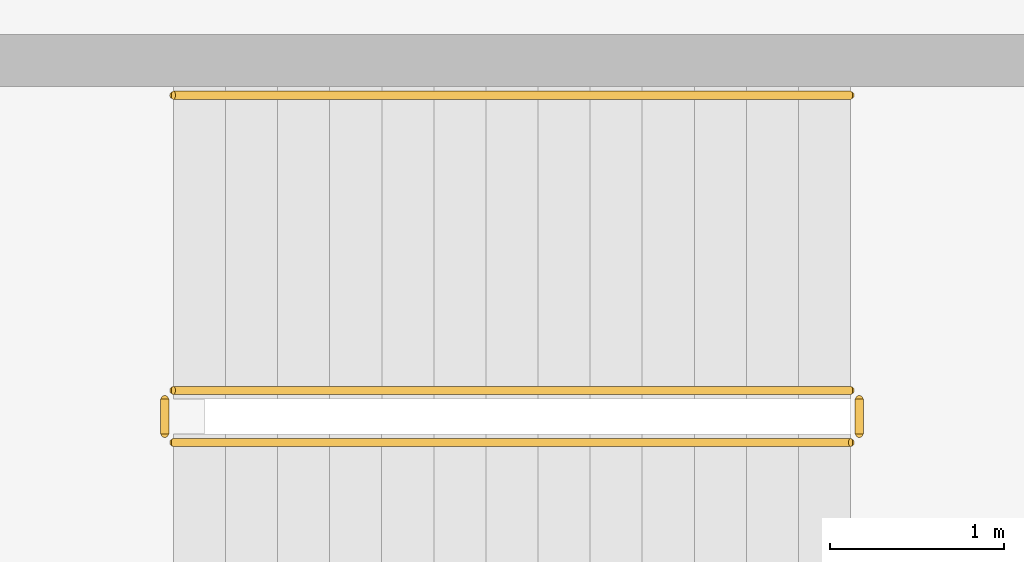
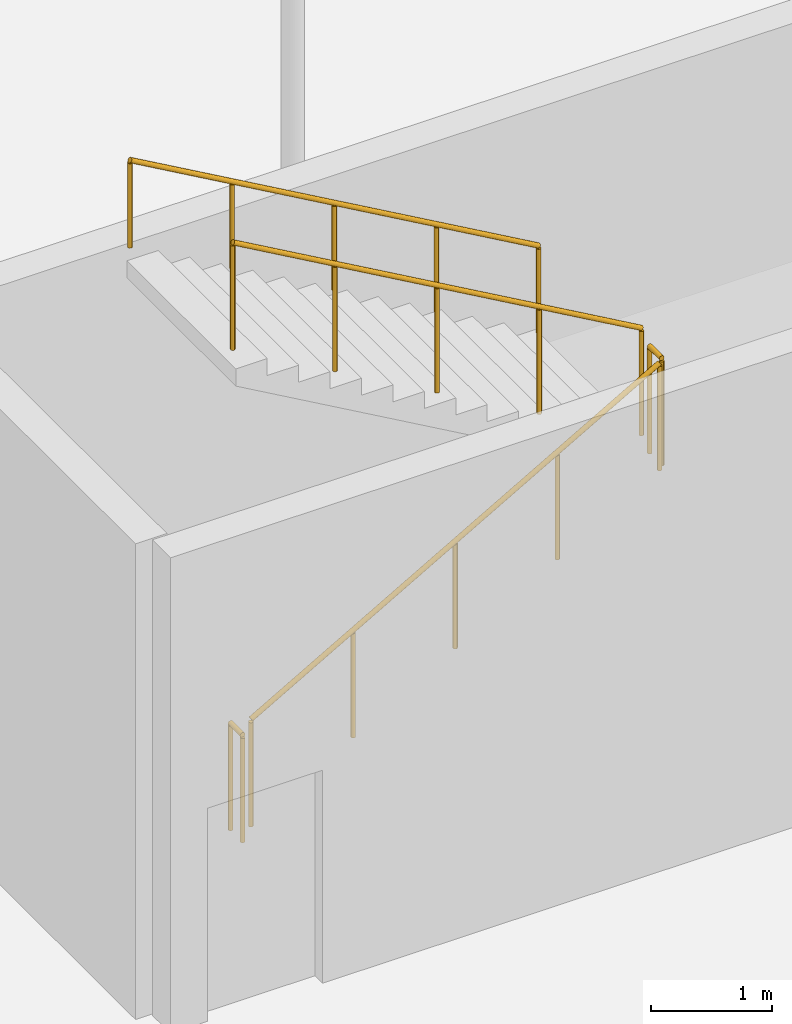
# One storey, part 205 of 226: 5 railings.
"""IFC4 building model written with IfcOpenShell, lengths in metres."""

import ifcopenshell
import ifcopenshell.guid

model = None  # the IFC model being written
_history = None  # IfcOwnerHistory: only IFC2X3 demands one
_inside = {}  # id of a spatial element -> (the spatial element, [elements in it])
_under = {}  # id of a project, library or spatial element -> (it, [spatial elements below it])
_declared = {}  # id of a project -> (the project, [libraries it declares])
_typed = {}  # id of a type object -> (the type object, [elements of that type])
_made_of = {}  # id of a material, layer set ... -> (it, [elements and type objects made of it])


def new_model(schema):
    """Start an empty IFC model of exactly this schema.

    Asked for "IFC4X3", IfcOpenShell would pick the latest addendum, in which some entities
    have other attributes; the version numbers below select the first issue.
    IFC2X3 requires an IfcOwnerHistory on every rooted entity: one is made here for all.
    """
    global model, _history
    if schema == "IFC4X3":
        model = ifcopenshell.file(schema_version=(4, 3, 0, 0))
    else:
        model = ifcopenshell.file(schema=schema)
    _inside.clear()
    _under.clear()
    _declared.clear()
    _typed.clear()
    _made_of.clear()
    _history = None
    if model.schema == "IFC2X3":
        org = make("IfcOrganization", Name="unknown")
        user = make(
            "IfcPersonAndOrganization",
            ThePerson=make("IfcPerson", FamilyName="unknown"),
            TheOrganization=org,
        )
        app = make(
            "IfcApplication",
            ApplicationDeveloper=org,
            Version="unknown",
            ApplicationFullName="unknown",
            ApplicationIdentifier="unknown",
        )
        _history = make(
            "IfcOwnerHistory",
            OwningUser=user,
            OwningApplication=app,
            ChangeAction="ADDED",
            CreationDate=0,
        )
    return model


def make(cls, **values):
    """One entity of the class cls with the attributes given. An attribute that is None is left unset."""
    return model.create_entity(
        cls, **{name: value for name, value in values.items() if value is not None}
    )


def rooted(cls, **values):
    """An entity with a GlobalId (a new one), such as an element, a storey or a relation."""
    return make(cls, GlobalId=ifcopenshell.guid.new(), OwnerHistory=_history, **values)


def si_unit(unit_type, name, prefix=None):
    """IfcSIUnit, for example si_unit("LENGTHUNIT", "METRE", prefix="MILLI")."""
    return make("IfcSIUnit", UnitType=unit_type, Prefix=prefix, Name=name)


def assignment(units):
    """IfcUnitAssignment: the units of a project."""
    return None if units is None else make("IfcUnitAssignment", Units=units)


def point(xyz):
    """IfcCartesianPoint."""
    return None if xyz is None else make("IfcCartesianPoint", Coordinates=xyz)


def direction(xyz):
    """IfcDirection."""
    return None if xyz is None else make("IfcDirection", DirectionRatios=xyz)


def frame(location, z_axis=None, x_axis=None):
    """IfcAxis2Placement3D, a coordinate frame: its origin and axes. An axis left out is left unset."""
    return make(
        "IfcAxis2Placement3D",
        Location=point(location),
        Axis=direction(z_axis),
        RefDirection=direction(x_axis),
    )


def frame_2d(location, x_axis=None):
    """IfcAxis2Placement2D, a coordinate frame in the plane: its origin and x axis."""
    return make(
        "IfcAxis2Placement2D", Location=point(location), RefDirection=direction(x_axis)
    )


def origin():
    """The frame at (0, 0, 0) with its axes left unset."""
    return frame((0.0, 0.0, 0.0))


def origin_2d():
    """The frame at (0, 0) in the plane with its x axis left unset."""
    return frame_2d((0.0, 0.0))


def place(relative_to, where):
    """IfcLocalPlacement: puts the frame where relative to a parent placement (None: the world)."""
    return make(
        "IfcLocalPlacement", PlacementRelTo=relative_to, RelativePlacement=where
    )


def context(
    kind, dimensions, precision=None, world=None, true_north=None, identifier=None
):
    """IfcGeometricRepresentationContext, for example the 3D "Model" context."""
    return make(
        "IfcGeometricRepresentationContext",
        ContextIdentifier=identifier,
        ContextType=kind,
        CoordinateSpaceDimension=dimensions,
        Precision=precision,
        WorldCoordinateSystem=world,
        TrueNorth=true_north,
    )


def subcontext(parent, identifier, kind, view, scale=None):
    """IfcGeometricRepresentationSubContext, for example "Body" below "Model"."""
    return make(
        "IfcGeometricRepresentationSubContext",
        ContextIdentifier=identifier,
        ContextType=kind,
        ParentContext=parent,
        TargetScale=scale,
        TargetView=view,
    )


def project(units=None, contexts=None):
    """IfcProject with its units and contexts."""
    return rooted(
        "IfcProject",
        Name="project",
        RepresentationContexts=contexts,
        UnitsInContext=assignment(units),
    )


def spatial(cls, under=None, at=None, **own):
    """A site, building, storey or space (cls), placed at a placement, below another one or the project."""
    s = rooted(cls, ObjectPlacement=at, **own)
    if under is not None:
        _under.setdefault(under.id(), (under, []))[1].append(s)
    return s


def profile(cls, at=None, kind="AREA", **sizes):
    """A parametric profile (cls). Its sizes go by their IFC names, for example OverallWidth=200.0."""
    return make(cls, ProfileType=kind, Position=at, **sizes)


def circle(**sizes):
    """IfcCircleProfileDef."""
    return profile("IfcCircleProfileDef", **sizes)


def extrude(swept, where, along, depth):
    """IfcExtrudedAreaSolid: the profile swept, set in the frame where, extruded along a direction by depth."""
    return make(
        "IfcExtrudedAreaSolid",
        SweptArea=swept,
        Position=where,
        ExtrudedDirection=direction(along),
        Depth=depth,
    )


def shape(context_of_items, identifier, shape_type, items):
    """IfcShapeRepresentation: the items that make up one representation, for example the "Body"."""
    return make(
        "IfcShapeRepresentation",
        ContextOfItems=context_of_items,
        RepresentationIdentifier=identifier,
        RepresentationType=shape_type,
        Items=items,
    )


def material(Name=None, Category=None):
    """IfcMaterial."""
    return make("IfcMaterial", Name=Name, Category=Category)


def made_of(thing, what):
    """Note that an element or type object is made of a material, layer set ...; save() writes the relation."""
    if what is not None:
        _made_of.setdefault(what.id(), (what, []))[1].append(thing)
    return thing


def type_object(cls, material=None, **own):
    """A type object (cls), such as IfcWallType, which elements share."""
    return made_of(rooted(cls, **own), material)


def element(
    cls,
    number,
    at=None,
    inside=None,
    cuts=None,
    type_object=None,
    material=None,
    context=None,
    identifier="Body",
    shape_type=None,
    held_by="IfcProductDefinitionShape",
    body=None,
    shapes=None,
    **own,
):
    """One element of the class cls, such as IfcWall. Its Tag is "e" and its number.

    at: its placement. inside: the storey or other place that contains it. cuts: it is an
    opening in that element (IfcRelVoidsElement). A single representation is given by context,
    identifier, shape_type and body (its items); several are given by shapes. held_by: the class
    of the entity that holds the representations. save() writes the other relations.
    """
    e = rooted(cls, Tag="e%d" % number, ObjectPlacement=at, **own)
    if body is not None:
        shapes = [shape(context, identifier, shape_type, body)]
    if shapes is not None:
        e.Representation = make(held_by, Representations=shapes)
    if inside is not None:
        _inside.setdefault(inside.id(), (inside, []))[1].append(e)
    if cuts is not None:
        rooted(
            "IfcRelVoidsElement", RelatingBuildingElement=cuts, RelatedOpeningElement=e
        )
    if type_object is not None:
        _typed.setdefault(type_object.id(), (type_object, []))[1].append(e)
    return made_of(e, material)


def aggregate(whole, parts):
    """IfcRelAggregates: a whole, such as a stair, and the parts it consists of."""
    return rooted("IfcRelAggregates", RelatingObject=whole, RelatedObjects=parts)


def save(model, path):
    """Write the relations noted so far, then the file.

    IfcRelAggregates (storeys below a building ...), IfcRelContainedInSpatialStructure (elements
    in a storey), IfcRelDefinesByType, IfcRelAssociatesMaterial and IfcRelDeclares: one each for
    every whole, place, type object, material and project.
    """
    for whole, parts in _under.values():
        aggregate(whole, parts)
    for where, things in _inside.values():
        rooted(
            "IfcRelContainedInSpatialStructure",
            RelatedElements=things,
            RelatingStructure=where,
        )
    for kind, things in _typed.values():
        rooted("IfcRelDefinesByType", RelatedObjects=things, RelatingType=kind)
    for what, things in _made_of.values():
        rooted("IfcRelAssociatesMaterial", RelatedObjects=things, RelatingMaterial=what)
    for by, libraries in _declared.values():
        rooted("IfcRelDeclares", RelatingContext=by, RelatedDefinitions=libraries)
    model.write(path)


model = new_model("IFC4")

# Units and contexts
model_context = context("Model", 3, precision=1e-05, world=origin(), true_north=direction((0.0, 1.0)))
body_context = subcontext(model_context, "Body", "Model", "MODEL_VIEW")
ifc_project = project(units=[si_unit("LENGTHUNIT", "METRE"), si_unit("AREAUNIT", "SQUARE_METRE"), si_unit("VOLUMEUNIT", "CUBIC_METRE"), si_unit("PLANEANGLEUNIT", "RADIAN"), si_unit("MASSUNIT", "GRAM", prefix="KILO")], contexts=[model_context])

# Site, building, storey
site_placement = place(None, origin())
site = spatial("IfcSite", under=ifc_project, at=site_placement, CompositionType="ELEMENT")
building_placement = place(site_placement, origin())
building = spatial("IfcBuilding", under=site, at=building_placement, Name="Tarnwether General Hospital", CompositionType="ELEMENT")
storey_placement = place(building_placement, frame((0.0, 0.0, 4.800048828125)))
storey = spatial("IfcBuildingStorey", under=building, at=storey_placement, Name="L01", CompositionType="ELEMENT", Elevation=4.800048828125)

# Railings
ifc_material_1 = material(Name="Anodised aluminium", Category="aluminium")
railing_type_1 = type_object("IfcRailingType", Name="RL-GRD-INT", PredefinedType="GUARDRAIL", material=ifc_material_1)
railing_1_placement = place(storey_placement, frame((113.39990234375, 19.550048828125, 0.17138671875)))
element("IfcRailing", 1, at=railing_1_placement, inside=storey, type_object=railing_type_1, Name="L01 ST-10 stair guard 1", PredefinedType="GUARDRAIL", context=body_context, shape_type="SweptSolid", body=[
    extrude(circle(Radius=0.02392578125, at=origin_2d()), frame((0.0, 0.0, 1.076171875), z_axis=(0.868256520506, 0.0, 0.496115525457), x_axis=(0.0, 1.0, 0.0)), (0.0, 0.0, 1.0), 4.491943359375),
    extrude(circle(Radius=0.02099609375, at=origin_2d()), origin(), (0.0, 0.0, 1.0), 1.052001953125),
    extrude(circle(Radius=0.02099609375, at=origin_2d()), frame((0.97509765625, 0.0, 0.55712890625)), (0.0, 0.0, 1.0), 1.052001953125),
    extrude(circle(Radius=0.02099609375, at=origin_2d()), frame((1.9501953125, 0.0, 1.1142578125)), (0.0, 0.0, 1.0), 1.052001953125),
    extrude(circle(Radius=0.02099609375, at=origin_2d()), frame((2.925048828125, 0.0, 1.67138671875)), (0.0, 0.0, 1.0), 1.052001953125),
    extrude(circle(Radius=0.02099609375, at=origin_2d()), frame((3.900146484375, 0.0, 2.228515625)), (0.0, 0.0, 1.0), 1.052001953125),
])
railing_2_placement = place(storey_placement, frame((117.35009765625, 19.60009765625, 2.39990234375)))
element("IfcRailing", 2, at=railing_2_placement, inside=storey, type_object=railing_type_1, Name="L01 ST-10 stair guard 2", PredefinedType="GUARDRAIL", context=body_context, shape_type="SweptSolid", body=[
    extrude(circle(Radius=0.02392578125, at=origin_2d()), frame((0.0, 0.0, 1.076171875), z_axis=(0.0, 1.0, 0.0), x_axis=(-1.0, 0.0, 0.0)), (0.0, 0.0, 1.0), 0.199951171875),
    extrude(circle(Radius=0.02099609375, at=origin_2d()), origin(), (0.0, 0.0, 1.0), 1.052001953125),
    extrude(circle(Radius=0.02099609375, at=origin_2d()), frame((0.0, 0.199951171875, 0.0)), (0.0, 0.0, 1.0), 1.052001953125),
])
railing_3_placement = place(storey_placement, frame((117.300048828125, 19.85009765625, 2.5712890625)))
element("IfcRailing", 3, at=railing_3_placement, inside=storey, type_object=railing_type_1, Name="L01 ST-10 stair guard 3", PredefinedType="GUARDRAIL", context=body_context, shape_type="SweptSolid", body=[
    extrude(circle(Radius=0.02392578125, at=origin_2d()), frame((0.0, 0.0, 1.076171875), z_axis=(-0.868233108195, 0.0, 0.496156497321), x_axis=(0.0, -1.0, 0.0)), (0.0, 0.0, 1.0), 4.491943359375),
    extrude(circle(Radius=0.02099609375, at=origin_2d()), origin(), (0.0, 0.0, 1.0), 1.052001953125),
    extrude(circle(Radius=0.02099609375, at=origin_2d()), frame((-0.97509765625, 0.0, 0.55712890625)), (0.0, 0.0, 1.0), 1.052001953125),
    extrude(circle(Radius=0.02099609375, at=origin_2d()), frame((-1.9501953125, 0.0, 1.1142578125)), (0.0, 0.0, 1.0), 1.052001953125),
    extrude(circle(Radius=0.02099609375, at=origin_2d()), frame((-2.925048828125, 0.0, 1.671630859375)), (0.0, 0.0, 1.0), 1.052001953125),
    extrude(circle(Radius=0.02099609375, at=origin_2d()), frame((-3.900146484375, 0.0, 2.228759765625)), (0.0, 0.0, 1.0), 1.052001953125),
])
railing_4_placement = place(storey_placement, frame((113.35009765625, 19.60009765625, 0.0)))
element("IfcRailing", 4, at=railing_4_placement, inside=storey, type_object=railing_type_1, Name="L01 ST-10 stair guard 4", PredefinedType="GUARDRAIL", context=body_context, shape_type="SweptSolid", body=[
    extrude(circle(Radius=0.02392578125, at=origin_2d()), frame((0.0, 0.0, 1.076171875), z_axis=(0.0, 1.0, 0.0), x_axis=(-1.0, 0.0, 0.0)), (0.0, 0.0, 1.0), 0.199951171875),
    extrude(circle(Radius=0.02099609375, at=origin_2d()), origin(), (0.0, 0.0, 1.0), 1.052001953125),
    extrude(circle(Radius=0.02099609375, at=origin_2d()), frame((0.0, 0.199951171875, 0.0)), (0.0, 0.0, 1.0), 1.052001953125),
])
ifc_material_2 = material(Name="Anodised aluminium", Category="aluminium")
railing_type_2 = type_object("IfcRailingType", Name="RL-HND-INT", PredefinedType="HANDRAIL", material=ifc_material_2)
railing_5_placement = place(storey_placement, frame((117.300048828125, 21.550048828125, 2.5712890625)))
element("IfcRailing", 5, at=railing_5_placement, inside=storey, type_object=railing_type_2, Name="L01 ST-10 stair handrail 2", PredefinedType="HANDRAIL", context=body_context, shape_type="SweptSolid", body=[
    extrude(circle(Radius=0.02392578125, at=origin_2d()), frame((0.0, 0.0, 0.8759765625), z_axis=(-0.868233108195, 0.0, 0.496156497321), x_axis=(0.0, -1.0, 0.0)), (0.0, 0.0, 1.0), 4.491943359375),
    extrude(circle(Radius=0.02099609375, at=origin_2d()), origin(), (0.0, 0.0, 1.0), 0.851806640625),
    extrude(circle(Radius=0.02099609375, at=origin_2d()), frame((-0.97509765625, 0.0, 0.55712890625)), (0.0, 0.0, 1.0), 0.851806640625),
    extrude(circle(Radius=0.02099609375, at=origin_2d()), frame((-1.9501953125, 0.0, 1.1142578125)), (0.0, 0.0, 1.0), 0.851806640625),
    extrude(circle(Radius=0.02099609375, at=origin_2d()), frame((-2.925048828125, 0.0, 1.671630859375)), (0.0, 0.0, 1.0), 0.851806640625),
    extrude(circle(Radius=0.02099609375, at=origin_2d()), frame((-3.900146484375, 0.0, 2.228759765625)), (0.0, 0.0, 1.0), 0.851806640625),
])

save(model, "model.ifc")
